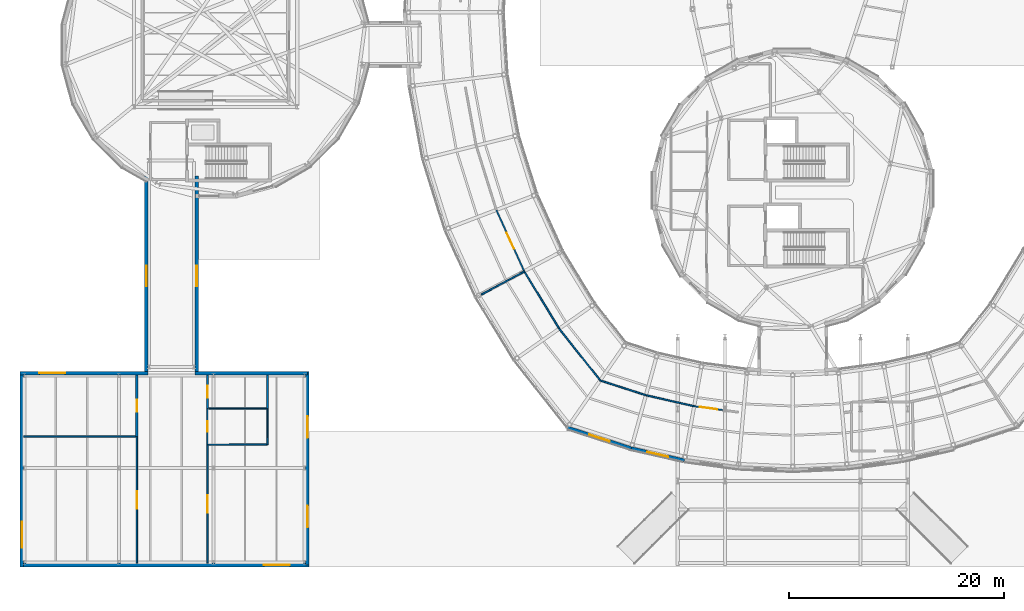
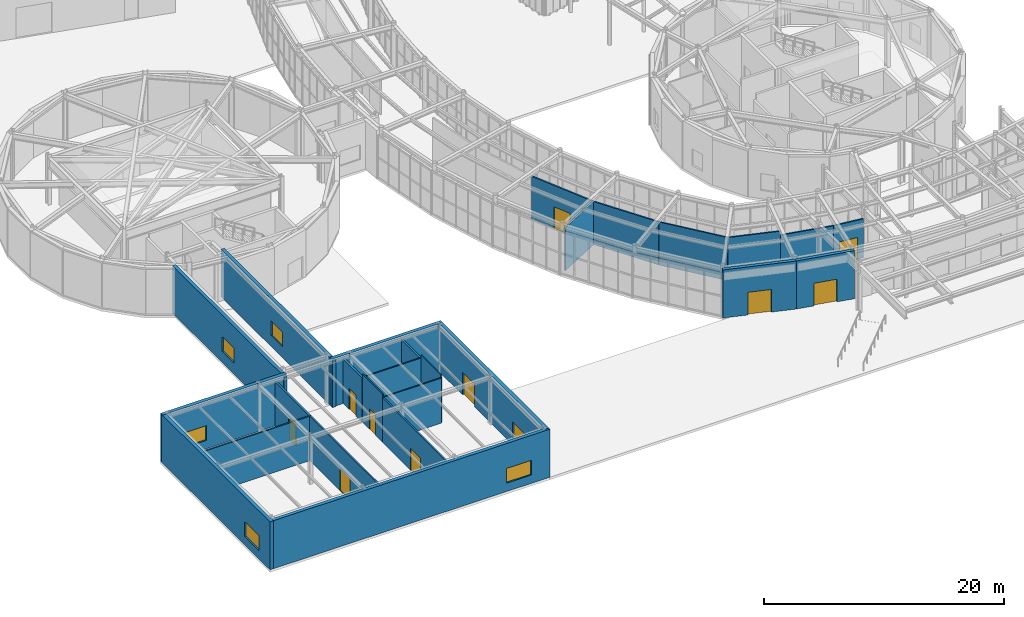
# One storey, part 69 of 97: 26 walls, 11 doors, 5 windows, 16 openings.
"""IFC4 building model written with IfcOpenShell, lengths in metres."""

from ifc_helpers import new_model, si_unit, direction, frame, frame_2d, origin, place, context, subcontext, project, spatial, rectangle, extrude, material, layer, layer_set, type_object, element, fill, save


model = new_model("IFC4")

# Units and contexts
model_context = context("Model", 3, precision=1e-05, world=origin(), true_north=direction((0.0, 1.0)))
body_context = subcontext(model_context, "Body", "Model", "MODEL_VIEW")
ifc_project = project(units=[si_unit("LENGTHUNIT", "METRE"), si_unit("AREAUNIT", "SQUARE_METRE"), si_unit("VOLUMEUNIT", "CUBIC_METRE"), si_unit("PLANEANGLEUNIT", "RADIAN"), si_unit("MASSUNIT", "GRAM", prefix="KILO")], contexts=[model_context])

# Site, building, storey
site_placement = place(None, origin())
site = spatial("IfcSite", under=ifc_project, at=site_placement, CompositionType="ELEMENT")
building_placement = place(site_placement, origin())
building = spatial("IfcBuilding", under=site, at=building_placement, Name="Varnklinge Art Gallery", CompositionType="ELEMENT")
storey_placement = place(building_placement, origin())
storey = spatial("IfcBuildingStorey", under=building, at=storey_placement, Name="L00", CompositionType="ELEMENT", Elevation=0.0)

# Wall, opening, door
ifc_material_1 = material(Name="Precast concrete C40/50", Category="concrete")
ifc_layer_1 = layer(ifc_material_1, 0.320068359375)
ifc_layer_set_1 = layer_set([ifc_layer_1], Name="Precast concrete C40/50")
wall_type_1 = type_object("IfcWallType", Name="EW-32", PredefinedType="SOLIDWALL", material=ifc_layer_set_1)
wall_1_placement = place(storey_placement, frame((60.477294921875, 14.42529296875, 0.0), z_axis=(0.0, 0.0, 1.0), x_axis=(-0.951297426521, 0.308274563165, 0.0)))
wall_1 = element("IfcWall", 1, at=wall_1_placement, inside=storey, type_object=wall_type_1, Name="L00 Grand Foyer Entrance Portal Wall 32", PredefinedType="SOLIDWALL", context=body_context, shape_type="SweptSolid", body=[
    extrude(rectangle(XDim=6.25244140625, YDim=0.320068359375, at=frame_2d((3.126220703125, 0.0))), origin(), (0.0, 0.0, 1.0), 4.8798828125),
])
opening_1_placement = place(wall_1_placement, frame((2.126220703125, 0.0, 0.0)))
opening_1 = element("IfcOpeningElement", 2, at=opening_1_placement, cuts=wall_1, Name="Opening D-L00-E07", PredefinedType="OPENING", context=body_context, shape_type="SweptSolid", body=[
    extrude(rectangle(XDim=2.0, YDim=2.300048828125, at=frame_2d((1.0, 1.14990234375))), frame((0.0, 0.170166015625, 0.0), z_axis=(0.0, -1.0, 0.0), x_axis=(1.0, 0.0, 0.0)), (0.0, 0.0, 1.0), 0.340087890625),
])
ifc_material_2 = material(Name="Anodised Aluminium", Category="aluminium")
door_type_1 = type_object("IfcDoorType", Name="ED-01", OperationType="DOUBLE_DOOR_SINGLE_SWING", PredefinedType="DOOR", material=ifc_material_2)
door_1_placement = place(opening_1_placement, origin())
door_1 = element("IfcDoor", 3, at=door_1_placement, inside=storey, type_object=door_type_1, Name="L00 Grand Foyer Main Entrance Door D-L00-E07", OperationType="DOUBLE_DOOR_SINGLE_SWING", OverallHeight=2.300048828125, OverallWidth=2.0, PredefinedType="DOOR", context=body_context, shape_type="SweptSolid", body=[
    extrude(rectangle(XDim=2.0, YDim=2.300048828125, at=frame_2d((1.0, 1.14990234375))), frame((0.0, 0.02490234375, 0.0), z_axis=(0.0, -1.0, 0.0), x_axis=(1.0, 0.0, 0.0)), (0.0, 0.0, 1.0), 0.050048828125),
])
fill(opening_1, door_1)

wall_2_placement = place(storey_placement, frame((65.41748046875, 13.300537109375, 0.0), z_axis=(0.0, 0.0, 1.0), x_axis=(-0.975048056311, 0.221993891546, 0.0)))
wall_2 = element("IfcWall", 4, at=wall_2_placement, inside=storey, type_object=wall_type_1, Name="L00 Grand Foyer Entrance Portal Wall 33", PredefinedType="SOLIDWALL", context=body_context, shape_type="SweptSolid", body=[
    extrude(rectangle(XDim=5.066650390625, YDim=0.320068359375, at=frame_2d((2.533203125, 0.0))), origin(), (0.0, 0.0, 1.0), 4.8798828125),
])
opening_2_placement = place(wall_2_placement, frame((1.533203125, 0.0, 0.0)))
opening_2 = element("IfcOpeningElement", 5, at=opening_2_placement, cuts=wall_2, Name="Opening D-L00-E08", PredefinedType="OPENING", context=body_context, shape_type="SweptSolid", body=[
    extrude(rectangle(XDim=2.0, YDim=2.300048828125, at=frame_2d((1.0, 1.14990234375))), frame((0.0, 0.170166015625, 0.0), z_axis=(0.0, -1.0, 0.0), x_axis=(1.0, 0.0, 0.0)), (0.0, 0.0, 1.0), 0.340087890625),
])
door_2_placement = place(opening_2_placement, origin())
door_2 = element("IfcDoor", 6, at=door_2_placement, inside=storey, type_object=door_type_1, Name="L00 Grand Foyer Main Entrance Door D-L00-E08", OperationType="DOUBLE_DOOR_SINGLE_SWING", OverallHeight=2.300048828125, OverallWidth=2.0, PredefinedType="DOOR", context=body_context, shape_type="SweptSolid", body=[
    extrude(rectangle(XDim=2.0, YDim=2.300048828125, at=frame_2d((1.0, 1.14990234375))), frame((0.0, 0.02490234375, 0.0), z_axis=(0.0, -1.0, 0.0), x_axis=(1.0, 0.0, 0.0)), (0.0, 0.0, 1.0), 0.050048828125),
])
fill(opening_2, door_2)

# Wall, opening, window
wall_3_placement = place(storey_placement, frame((15.360107421875, 21.179931640625, 0.0), z_axis=(0.0, 0.0, 1.0), x_axis=(0.0, 1.0, 0.0)))
wall_3 = element("IfcWall", 7, at=wall_3_placement, inside=storey, type_object=wall_type_1, Name="L00 Gallery Link Wall EW-LNK-SW-L00-W", PredefinedType="SOLIDWALL", context=body_context, shape_type="SweptSolid", body=[
    extrude(rectangle(XDim=18.565185546875, YDim=0.320068359375, at=frame_2d((9.28271484375, 0.0))), origin(), (0.0, 0.0, 1.0), 4.820068359375),
])
opening_3_placement = place(wall_3_placement, frame((8.3076171875, 0.0, 1.1201171875)))
opening_3 = element("IfcOpeningElement", 8, at=opening_3_placement, cuts=wall_3, Name="Opening WN-05", PredefinedType="OPENING", context=body_context, shape_type="SweptSolid", body=[
    extrude(rectangle(XDim=1.949951171875, YDim=1.5, at=frame_2d((0.97509765625, 0.75))), frame((0.0, 0.170166015625, 0.0), z_axis=(0.0, -1.0, 0.0), x_axis=(1.0, 0.0, 0.0)), (0.0, 0.0, 1.0), 0.340087890625),
])
ifc_material_3 = material(Name="Insulated Low-E Triple Glazing", Category="glass")
window_type_1 = type_object("IfcWindowType", Name="WN-05", PartitioningType="SINGLE_PANEL", PredefinedType="WINDOW", material=ifc_material_3)
window_1_placement = place(opening_3_placement, origin())
window_1 = element("IfcWindow", 9, at=window_1_placement, inside=storey, type_object=window_type_1, Name="L00 Window WIN-L00-237", OverallHeight=1.5, OverallWidth=1.949951171875, PartitioningType="SINGLE_PANEL", PredefinedType="WINDOW", context=body_context, shape_type="SweptSolid", body=[
    extrude(rectangle(XDim=1.949951171875, YDim=1.5, at=frame_2d((0.97509765625, 0.75))), frame((0.0, 0.030029296875, 0.0), z_axis=(0.0, -1.0, 0.0), x_axis=(1.0, 0.0, 0.0)), (0.0, 0.0, 1.0), 0.06005859375),
])
fill(opening_3, window_1)

wall_4_placement = place(storey_placement, frame((20.0400390625, 39.7451171875, 0.0), z_axis=(0.0, 0.0, 1.0), x_axis=(0.0, -1.0, 0.0)))
wall_4 = element("IfcWall", 10, at=wall_4_placement, inside=storey, type_object=wall_type_1, Name="L00 Gallery Link Wall EW-LNK-SW-L00-E", PredefinedType="SOLIDWALL", context=body_context, shape_type="SweptSolid", body=[
    extrude(rectangle(XDim=18.565185546875, YDim=0.320068359375, at=frame_2d((9.28271484375, 0.0))), origin(), (0.0, 0.0, 1.0), 4.820068359375),
])
opening_4_placement = place(wall_4_placement, frame((8.3076171875, 0.0, 1.1201171875)))
opening_4 = element("IfcOpeningElement", 11, at=opening_4_placement, cuts=wall_4, Name="Opening WN-05", PredefinedType="OPENING", context=body_context, shape_type="SweptSolid", body=[
    extrude(rectangle(XDim=1.949951171875, YDim=1.5, at=frame_2d((0.97509765625, 0.75))), frame((0.0, 0.170166015625, 0.0), z_axis=(0.0, -1.0, 0.0), x_axis=(1.0, 0.0, 0.0)), (0.0, 0.0, 1.0), 0.340087890625),
])
window_2_placement = place(opening_4_placement, origin())
window_2 = element("IfcWindow", 12, at=window_2_placement, inside=storey, type_object=window_type_1, Name="L00 Window WIN-L00-238", OverallHeight=1.5, OverallWidth=1.949951171875, PartitioningType="SINGLE_PANEL", PredefinedType="WINDOW", context=body_context, shape_type="SweptSolid", body=[
    extrude(rectangle(XDim=1.949951171875, YDim=1.5, at=frame_2d((0.97509765625, 0.75))), frame((0.0, 0.030029296875, 0.0), z_axis=(0.0, -1.0, 0.0), x_axis=(1.0, 0.0, 0.0)), (0.0, 0.0, 1.0), 0.06005859375),
])
fill(opening_4, window_2)

ifc_material_4 = material(Name="Precast concrete C40/50", Category="concrete")
ifc_layer_2 = layer(ifc_material_4, 0.340087890625)
ifc_layer_set_2 = layer_set([ifc_layer_2], Name="Precast concrete C40/50")
wall_type_2 = type_object("IfcWallType", Name="EW-34", PredefinedType="SOLIDWALL", material=ifc_layer_set_2)
wall_5_placement = place(storey_placement, frame((3.77001953125, 3.39990234375, 0.0), z_axis=(0.0, 0.0, 1.0), x_axis=(0.0, 1.0, 0.0)))
wall_5 = element("IfcWall", 13, at=wall_5_placement, inside=storey, type_object=wall_type_2, Name="L00 Exterior Wall EW-V6SW-L00-01", PredefinedType="SOLIDWALL", context=body_context, shape_type="SweptSolid", body=[
    extrude(rectangle(XDim=18.030029296875, YDim=0.340087890625, at=frame_2d((9.01513671875, 0.0))), origin(), (0.0, 0.0, 1.0), 4.8798828125),
])
opening_5_placement = place(wall_5_placement, frame((1.800048828125, 0.0, 0.85009765625)))
opening_5 = element("IfcOpeningElement", 14, at=opening_5_placement, cuts=wall_5, Name="Opening WN-07", PredefinedType="OPENING", context=body_context, shape_type="SweptSolid", body=[
    extrude(rectangle(XDim=2.39990234375, YDim=1.5, at=frame_2d((1.199951171875, 0.75))), frame((0.0, 0.179931640625, 0.0), z_axis=(0.0, -1.0, 0.0), x_axis=(1.0, 0.0, 0.0)), (0.0, 0.0, 1.0), 0.360107421875),
])
ifc_material_5 = material(Name="Insulated Low-E Triple Glazing", Category="glass")
window_type_2 = type_object("IfcWindowType", Name="WN-07", PartitioningType="SINGLE_PANEL", PredefinedType="WINDOW", material=ifc_material_5)
window_3_placement = place(opening_5_placement, origin())
window_3 = element("IfcWindow", 15, at=window_3_placement, inside=storey, type_object=window_type_2, Name="L00 Window WIN-L00-203", OverallHeight=1.5, OverallWidth=2.39990234375, PartitioningType="SINGLE_PANEL", PredefinedType="WINDOW", context=body_context, shape_type="SweptSolid", body=[
    extrude(rectangle(XDim=2.39990234375, YDim=1.5, at=frame_2d((1.199951171875, 0.75))), frame((0.0, 0.030029296875, 0.0), z_axis=(0.0, -1.0, 0.0), x_axis=(1.0, 0.0, 0.0)), (0.0, 0.0, 1.0), 0.06005859375),
])
fill(opening_5, window_3)

wall_6_placement = place(storey_placement, frame((3.60009765625, 21.429931640625, 0.0), z_axis=(0.0, 0.0, 1.0), x_axis=(1.0, 0.0, 0.0)))
wall_6 = element("IfcWall", 16, at=wall_6_placement, inside=storey, type_object=wall_type_2, Name="L00 Exterior Wall EW-V6SW-L00-02", PredefinedType="SOLIDWALL", context=body_context, shape_type="SweptSolid", body=[
    extrude(rectangle(XDim=11.919921875, YDim=0.340087890625, at=frame_2d((5.9599609375, 0.0))), origin(), (0.0, 0.0, 1.0), 4.8798828125),
])
opening_6_placement = place(wall_6_placement, frame((1.800048828125, 0.0, 0.85009765625)))
opening_6 = element("IfcOpeningElement", 17, at=opening_6_placement, cuts=wall_6, Name="Opening WN-07", PredefinedType="OPENING", context=body_context, shape_type="SweptSolid", body=[
    extrude(rectangle(XDim=2.39990234375, YDim=1.5, at=frame_2d((1.199951171875, 0.75))), frame((0.0, 0.179931640625, 0.0), z_axis=(0.0, -1.0, 0.0), x_axis=(1.0, 0.0, 0.0)), (0.0, 0.0, 1.0), 0.360107421875),
])
window_4_placement = place(opening_6_placement, origin())
window_4 = element("IfcWindow", 18, at=window_4_placement, inside=storey, type_object=window_type_2, Name="L00 Window WIN-L00-204", OverallHeight=1.5, OverallWidth=2.39990234375, PartitioningType="SINGLE_PANEL", PredefinedType="WINDOW", context=body_context, shape_type="SweptSolid", body=[
    extrude(rectangle(XDim=2.39990234375, YDim=1.5, at=frame_2d((1.199951171875, 0.75))), frame((0.0, 0.030029296875, 0.0), z_axis=(0.0, -1.0, 0.0), x_axis=(1.0, 0.0, 0.0)), (0.0, 0.0, 1.0), 0.06005859375),
])
fill(opening_6, window_4)

# Wall
wall_7_placement = place(storey_placement, frame((19.8798828125, 21.429931640625, 0.0), z_axis=(0.0, 0.0, 1.0), x_axis=(1.0, 0.0, 0.0)))
element("IfcWall", 19, at=wall_7_placement, inside=storey, type_object=wall_type_2, Name="L00 Exterior Wall EW-V6SW-L00-03", PredefinedType="SOLIDWALL", context=body_context, shape_type="SweptSolid", body=[
    extrude(rectangle(XDim=10.4501953125, YDim=0.340087890625, at=frame_2d((5.22509765625, 0.0))), origin(), (0.0, 0.0, 1.0), 4.8798828125),
])

# Wall, openings, doors
wall_8_placement = place(storey_placement, frame((30.330078125, 21.60009765625, 0.0), z_axis=(0.0, 0.0, 1.0), x_axis=(0.0, -1.0, 0.0)))
wall_8 = element("IfcWall", 20, at=wall_8_placement, inside=storey, type_object=wall_type_2, Name="L00 Exterior Wall EW-V6SW-L00-04", PredefinedType="SOLIDWALL", context=body_context, shape_type="SweptSolid", body=[
    extrude(rectangle(XDim=18.030029296875, YDim=0.340087890625, at=frame_2d((9.01513671875, 0.0))), origin(), (0.0, 0.0, 1.0), 4.8798828125),
])
opening_7_placement = place(wall_8_placement, frame((4.199951171875, 0.0, 0.0)))
opening_7 = element("IfcOpeningElement", 21, at=opening_7_placement, cuts=wall_8, Name="Opening D-L00-E25", PredefinedType="OPENING", context=body_context, shape_type="SweptSolid", body=[
    extrude(rectangle(XDim=2.0, YDim=2.300048828125, at=frame_2d((1.0, 1.14990234375))), frame((0.0, 0.179931640625, 0.0), z_axis=(0.0, -1.0, 0.0), x_axis=(1.0, 0.0, 0.0)), (0.0, 0.0, 1.0), 0.360107421875),
])
opening_8_placement = place(wall_8_placement, frame((12.530029296875, 0.0, 0.0)))
opening_8 = element("IfcOpeningElement", 22, at=opening_8_placement, cuts=wall_8, Name="Opening D-L00-E26", PredefinedType="OPENING", context=body_context, shape_type="SweptSolid", body=[
    extrude(rectangle(XDim=2.0, YDim=2.300048828125, at=frame_2d((1.0, 1.14990234375))), frame((0.0, 0.179931640625, 0.0), z_axis=(0.0, -1.0, 0.0), x_axis=(1.0, 0.0, 0.0)), (0.0, 0.0, 1.0), 0.360107421875),
])
door_3_placement = place(opening_7_placement, origin())
door_3 = element("IfcDoor", 23, at=door_3_placement, inside=storey, type_object=door_type_1, Name="L00 Museum Bookshop North Final Exit Door D-L00-E25", OperationType="DOUBLE_DOOR_SINGLE_SWING", OverallHeight=2.300048828125, OverallWidth=2.0, PredefinedType="DOOR", context=body_context, shape_type="SweptSolid", body=[
    extrude(rectangle(XDim=2.0, YDim=2.300048828125, at=frame_2d((1.0, 1.14990234375))), frame((0.0, 0.02490234375, 0.0), z_axis=(0.0, -1.0, 0.0), x_axis=(1.0, 0.0, 0.0)), (0.0, 0.0, 1.0), 0.050048828125),
])
fill(opening_7, door_3)
door_4_placement = place(opening_8_placement, origin())
door_4 = element("IfcDoor", 24, at=door_4_placement, inside=storey, type_object=door_type_1, Name="L00 Museum Bookshop South Final Exit Door D-L00-E26", OperationType="DOUBLE_DOOR_SINGLE_SWING", OverallHeight=2.300048828125, OverallWidth=2.0, PredefinedType="DOOR", context=body_context, shape_type="SweptSolid", body=[
    extrude(rectangle(XDim=2.0, YDim=2.300048828125, at=frame_2d((1.0, 1.14990234375))), frame((0.0, 0.02490234375, 0.0), z_axis=(0.0, -1.0, 0.0), x_axis=(1.0, 0.0, 0.0)), (0.0, 0.0, 1.0), 0.050048828125),
])
fill(opening_8, door_4)

# Wall, opening, window
wall_9_placement = place(storey_placement, frame((30.5, 3.570068359375, 0.0), z_axis=(0.0, 0.0, 1.0), x_axis=(-1.0, 0.0, 0.0)))
wall_9 = element("IfcWall", 25, at=wall_9_placement, inside=storey, type_object=wall_type_2, Name="L00 Exterior Wall EW-V6SW-L00-05", PredefinedType="SOLIDWALL", context=body_context, shape_type="SweptSolid", body=[
    extrude(rectangle(XDim=26.72998046875, YDim=0.340087890625, at=frame_2d((13.364990234375, 0.0))), origin(), (0.0, 0.0, 1.0), 4.8798828125),
])
opening_9_placement = place(wall_9_placement, frame((1.800048828125, 0.0, 0.85009765625)))
opening_9 = element("IfcOpeningElement", 26, at=opening_9_placement, cuts=wall_9, Name="Opening WN-07", PredefinedType="OPENING", context=body_context, shape_type="SweptSolid", body=[
    extrude(rectangle(XDim=2.39990234375, YDim=1.5, at=frame_2d((1.199951171875, 0.75))), frame((0.0, 0.179931640625, 0.0), z_axis=(0.0, -1.0, 0.0), x_axis=(1.0, 0.0, 0.0)), (0.0, 0.0, 1.0), 0.360107421875),
])
window_5_placement = place(opening_9_placement, origin())
window_5 = element("IfcWindow", 27, at=window_5_placement, inside=storey, type_object=window_type_2, Name="L00 Window WIN-L00-205", OverallHeight=1.5, OverallWidth=2.39990234375, PartitioningType="SINGLE_PANEL", PredefinedType="WINDOW", context=body_context, shape_type="SweptSolid", body=[
    extrude(rectangle(XDim=2.39990234375, YDim=1.5, at=frame_2d((1.199951171875, 0.75))), frame((0.0, 0.030029296875, 0.0), z_axis=(0.0, -1.0, 0.0), x_axis=(1.0, 0.0, 0.0)), (0.0, 0.0, 1.0), 0.06005859375),
])
fill(opening_9, window_5)

# Wall, opening, door
ifc_material_6 = material(Name="Gypsum Board Partition", Category="gypsum")
ifc_layer_3 = layer(ifc_material_6, 0.1201171875)
ifc_layer_set_3 = layer_set([ifc_layer_3], Name="Gypsum Board Partition")
wall_type_3 = type_object("IfcWallType", Name="IW-12", PredefinedType="PARTITIONING", material=ifc_layer_set_3)
wall_10_placement = place(storey_placement, frame((21.030029296875, 18.1298828125, 0.0), z_axis=(0.0, 0.0, 1.0), x_axis=(0.0, -1.0, 0.0)))
wall_10 = element("IfcWall", 28, at=wall_10_placement, inside=storey, type_object=wall_type_3, Name="L00 Partition Wall IW-L00-0125", PredefinedType="PARTITIONING", context=body_context, shape_type="SweptSolid", body=[
    extrude(rectangle(XDim=3.35986328125, YDim=0.1201171875, at=frame_2d((1.679931640625, 0.0))), origin(), (0.0, 0.0, 1.0), 4.8701171875),
])
opening_10_placement = place(wall_10_placement, frame((1.199951171875, 0.0, 0.0)))
opening_10 = element("IfcOpeningElement", 29, at=opening_10_placement, cuts=wall_10, Name="Opening D-L00-175", PredefinedType="OPENING", context=body_context, shape_type="SweptSolid", body=[
    extrude(rectangle(XDim=0.9599609375, YDim=2.10009765625, at=frame_2d((0.47998046875, 1.050048828125))), frame((0.0, 0.070068359375, 0.0), z_axis=(0.0, -1.0, 0.0), x_axis=(1.0, 0.0, 0.0)), (0.0, 0.0, 1.0), 0.14013671875),
])
ifc_material_7 = material(Name="Oak Timber Leaf", Category="wood")
door_type_2 = type_object("IfcDoorType", Name="ID-02", OperationType="SINGLE_SWING_RIGHT", PredefinedType="DOOR", material=ifc_material_7)
door_5_placement = place(opening_10_placement, origin())
door_5 = element("IfcDoor", 30, at=door_5_placement, inside=storey, type_object=door_type_2, Name="L00 L00 Accessible WC Forecourt Door D-L00-175", OperationType="SINGLE_SWING_LEFT", OverallHeight=2.10009765625, OverallWidth=0.9599609375, PredefinedType="DOOR", context=body_context, shape_type="SweptSolid", body=[
    extrude(rectangle(XDim=0.9599609375, YDim=2.10009765625, at=frame_2d((0.47998046875, 1.050048828125))), frame((0.0, 0.02490234375, 0.0), z_axis=(0.0, -1.0, 0.0), x_axis=(1.0, 0.0, 0.0)), (0.0, 0.0, 1.0), 0.050048828125),
])
fill(opening_10, door_5)

# Walls
wall_11_placement = place(storey_placement, frame((21.14501953125, 18.1298828125, 0.0), z_axis=(0.0, 0.0, 1.0), x_axis=(1.0, 0.0, 0.0)))
element("IfcWall", 31, at=wall_11_placement, inside=storey, type_object=wall_type_3, Name="L00 Partition Wall IW-L00-0155", PredefinedType="PARTITIONING", context=body_context, shape_type="SweptSolid", body=[
    extrude(rectangle(XDim=5.455078125, YDim=0.1201171875, at=frame_2d((2.7275390625, 0.0))), origin(), (0.0, 0.0, 1.0), 4.570068359375),
])
wall_12_placement = place(storey_placement, frame((26.6298828125, 18.10009765625, 0.0), z_axis=(0.0, 0.0, 1.0), x_axis=(-0.003965017661, -0.999992139287, 0.0)))
element("IfcWall", 32, at=wall_12_placement, inside=storey, type_object=wall_type_3, Name="L00 Partition Wall IW-L00-0156", PredefinedType="PARTITIONING", context=body_context, shape_type="SweptSolid", body=[
    extrude(rectangle(XDim=3.324951171875, YDim=0.1201171875, at=frame_2d((1.66259765625, 0.0))), origin(), (0.0, 0.0, 1.0), 4.8701171875),
])
wall_13_placement = place(storey_placement, frame((26.61669921875, 14.775146484375, 0.0), z_axis=(0.0, 0.0, 1.0), x_axis=(-0.999999567372, -0.000930190951, 0.0)))
element("IfcWall", 33, at=wall_13_placement, inside=storey, type_object=wall_type_3, Name="L00 Partition Wall IW-L00-0157", PredefinedType="PARTITIONING", context=body_context, shape_type="SweptSolid", body=[
    extrude(rectangle(XDim=5.51171875, YDim=0.1201171875, at=frame_2d((2.755859375, 0.0))), origin(), (0.0, 0.0, 1.0), 4.570068359375),
])

# Wall, opening, door
ifc_material_8 = material(Name="Gypsum Board Partition", Category="gypsum")
ifc_layer_4 = layer(ifc_material_8, 0.139892578125)
ifc_layer_set_4 = layer_set([ifc_layer_4], Name="Gypsum Board Partition")
wall_type_4 = type_object("IfcWallType", Name="IW-14", PredefinedType="PARTITIONING", material=ifc_layer_set_4)
wall_14_placement = place(storey_placement, frame((50.52490234375, 30.88134765625, 0.0), z_axis=(0.0, 0.0, 1.0), x_axis=(-0.413902273879, 0.910321321116, 0.0)))
wall_14 = element("IfcWall", 34, at=wall_14_placement, inside=storey, type_object=wall_type_4, Name="L00 Partition Wall IW-L00-0079", PredefinedType="PARTITIONING", context=body_context, shape_type="SweptSolid", body=[
    extrude(rectangle(XDim=6.296142578125, YDim=0.139892578125, at=frame_2d((3.14794921875, 0.0))), origin(), (0.0, 0.0, 1.0), 4.3701171875),
])
opening_11_placement = place(wall_14_placement, frame((2.327880859375, 0.0, 0.0)))
opening_11 = element("IfcOpeningElement", 35, at=opening_11_placement, cuts=wall_14, Name="Opening D-L00-149", PredefinedType="OPENING", context=body_context, shape_type="SweptSolid", body=[
    extrude(rectangle(XDim=1.639892578125, YDim=2.199951171875, at=frame_2d((0.81982421875, 1.10009765625))), frame((0.0, 0.079833984375, 0.0), z_axis=(0.0, -1.0, 0.0), x_axis=(1.0, 0.0, 0.0)), (0.0, 0.0, 1.0), 0.159912109375),
])
ifc_material_9 = material(Name="Oak Timber Leaf", Category="wood")
door_type_3 = type_object("IfcDoorType", Name="ID-08", OperationType="DOUBLE_DOOR_SINGLE_SWING", PredefinedType="DOOR", material=ifc_material_9)
door_6_placement = place(opening_11_placement, origin())
door_6 = element("IfcDoor", 36, at=door_6_placement, inside=storey, type_object=door_type_3, Name="L00 L00 Southwest Museum Shop and Cloakroom Door D-L00-149", OperationType="DOUBLE_DOOR_SINGLE_SWING", OverallHeight=2.199951171875, OverallWidth=1.639892578125, PredefinedType="DOOR", context=body_context, shape_type="SweptSolid", body=[
    extrude(rectangle(XDim=1.639892578125, YDim=2.199951171875, at=frame_2d((0.81982421875, 1.10009765625))), frame((0.0, 0.02490234375, 0.0), z_axis=(0.0, -1.0, 0.0), x_axis=(1.0, 0.0, 0.0)), (0.0, 0.0, 1.0), 0.050048828125),
])
fill(opening_11, door_6)

wall_15_placement = place(storey_placement, frame((68.988525390625, 17.986572265625, 0.0), z_axis=(0.0, 0.0, 1.0), x_axis=(-0.990991125006, 0.133927555638, 0.0)))
wall_15 = element("IfcWall", 37, at=wall_15_placement, inside=storey, type_object=wall_type_4, Name="L00 Partition Wall IW-L00-0083", PredefinedType="PARTITIONING", context=body_context, shape_type="SweptSolid", body=[
    extrude(rectangle(XDim=2.683349609375, YDim=0.139892578125, at=frame_2d((1.341796875, 0.0))), origin(), (0.0, 0.0, 1.0), 3.9599609375),
])
opening_12_placement = place(wall_15_placement, frame((0.521484375, 0.0, 0.0)))
opening_12 = element("IfcOpeningElement", 38, at=opening_12_placement, cuts=wall_15, Name="Opening D-L00-151", PredefinedType="OPENING", context=body_context, shape_type="SweptSolid", body=[
    extrude(rectangle(XDim=1.639892578125, YDim=2.199951171875, at=frame_2d((0.81982421875, 1.10009765625))), frame((0.0, 0.079833984375, 0.0), z_axis=(0.0, -1.0, 0.0), x_axis=(1.0, 0.0, 0.0)), (0.0, 0.0, 1.0), 0.159912109375),
])
door_7_placement = place(opening_12_placement, origin())
door_7 = element("IfcDoor", 39, at=door_7_placement, inside=storey, type_object=door_type_3, Name="L00 L00 South Grand Ticketing Gallery Door D-L00-151", OperationType="DOUBLE_DOOR_SINGLE_SWING", OverallHeight=2.199951171875, OverallWidth=1.639892578125, PredefinedType="DOOR", context=body_context, shape_type="SweptSolid", body=[
    extrude(rectangle(XDim=1.639892578125, YDim=2.199951171875, at=frame_2d((0.81982421875, 1.10009765625))), frame((0.0, 0.02490234375, 0.0), z_axis=(0.0, -1.0, 0.0), x_axis=(1.0, 0.0, 0.0)), (0.0, 0.0, 1.0), 0.050048828125),
])
fill(opening_12, door_7)

# Walls
wall_16_placement = place(storey_placement, frame((66.329345703125, 18.345947265625, 0.0), z_axis=(0.0, 0.0, 1.0), x_axis=(-0.975049979992, 0.221985442131, 0.0)))
element("IfcWall", 40, at=wall_16_placement, inside=storey, type_object=wall_type_4, Name="L00 Partition Wall IW-L00-0084", PredefinedType="PARTITIONING", context=body_context, shape_type="SweptSolid", body=[
    extrude(rectangle(XDim=4.60498046875, YDim=0.139892578125, at=frame_2d((2.302490234375, 0.0))), origin(), (0.0, 0.0, 1.0), 3.9599609375),
])
wall_17_placement = place(storey_placement, frame((61.83935546875, 19.3681640625, 0.0), z_axis=(0.0, 0.0, 1.0), x_axis=(-0.95121156526, 0.308539394755, 0.0)))
element("IfcWall", 41, at=wall_17_placement, inside=storey, type_object=wall_type_4, Name="L00 Partition Wall IW-L00-0085", PredefinedType="PARTITIONING", context=body_context, shape_type="SweptSolid", body=[
    extrude(rectangle(XDim=4.473876953125, YDim=0.139892578125, at=frame_2d((2.23681640625, 0.0))), origin(), (0.0, 0.0, 1.0), 4.3701171875),
])
wall_18_placement = place(storey_placement, frame((57.583740234375, 20.74853515625, 0.0), z_axis=(0.0, 0.0, 1.0), x_axis=(-0.620919863194, 0.783874048232, 0.0)))
element("IfcWall", 42, at=wall_18_placement, inside=storey, type_object=wall_type_4, Name="L00 Partition Wall IW-L00-0086", PredefinedType="PARTITIONING", context=body_context, shape_type="SweptSolid", body=[
    extrude(rectangle(XDim=6.1396484375, YDim=0.139892578125, at=frame_2d((3.06982421875, 0.0))), origin(), (0.0, 0.0, 1.0), 4.3701171875),
])
wall_19_placement = place(storey_placement, frame((53.771484375, 25.561279296875, 0.0), z_axis=(0.0, 0.0, 1.0), x_axis=(-0.520915928932, 0.853607986716, 0.0)))
element("IfcWall", 43, at=wall_19_placement, inside=storey, type_object=wall_type_4, Name="L00 Partition Wall IW-L00-0087", PredefinedType="PARTITIONING", context=body_context, shape_type="SweptSolid", body=[
    extrude(rectangle(XDim=6.232421875, YDim=0.139892578125, at=frame_2d((3.1162109375, 0.0))), origin(), (0.0, 0.0, 1.0), 4.3701171875),
])

# Wall, opening, door
wall_20_placement = place(storey_placement, frame((14.469970703125, 3.743896484375, 0.0), z_axis=(0.0, 0.0, 1.0), x_axis=(0.0, 1.0, 0.0)))
wall_20 = element("IfcWall", 44, at=wall_20_placement, inside=storey, type_object=wall_type_4, Name="L00 Partition Wall IW-L00-0123", PredefinedType="PARTITIONING", context=body_context, shape_type="SweptSolid", body=[
    extrude(rectangle(XDim=11.7861328125, YDim=0.139892578125, at=frame_2d((5.89306640625, 0.0))), origin(), (0.0, 0.0, 1.0), 4.510009765625),
])
opening_13_placement = place(wall_20_placement, frame((5.072998046875, 0.0, 0.0)))
opening_13 = element("IfcOpeningElement", 45, at=opening_13_placement, cuts=wall_20, Name="Opening D-L00-173", PredefinedType="OPENING", context=body_context, shape_type="SweptSolid", body=[
    extrude(rectangle(XDim=1.639892578125, YDim=2.199951171875, at=frame_2d((0.81982421875, 1.10009765625))), frame((0.0, 0.079833984375, 0.0), z_axis=(0.0, -1.0, 0.0), x_axis=(1.0, 0.0, 0.0)), (0.0, 0.0, 1.0), 0.159912109375),
])
door_8_placement = place(opening_13_placement, origin())
door_8 = element("IfcDoor", 46, at=door_8_placement, inside=storey, type_object=door_type_3, Name="L00 L00 Museum Cafe Door D-L00-173", OperationType="DOUBLE_DOOR_SINGLE_SWING", OverallHeight=2.199951171875, OverallWidth=1.639892578125, PredefinedType="DOOR", context=body_context, shape_type="SweptSolid", body=[
    extrude(rectangle(XDim=1.639892578125, YDim=2.199951171875, at=frame_2d((0.81982421875, 1.10009765625))), frame((0.0, 0.02490234375, 0.0), z_axis=(0.0, -1.0, 0.0), x_axis=(1.0, 0.0, 0.0)), (0.0, 0.0, 1.0), 0.050048828125),
])
fill(opening_13, door_8)

wall_21_placement = place(storey_placement, frame((21.030029296875, 14.77001953125, 0.0), z_axis=(0.0, 0.0, 1.0), x_axis=(0.0, -1.0, 0.0)))
wall_21 = element("IfcWall", 47, at=wall_21_placement, inside=storey, type_object=wall_type_4, Name="L00 Partition Wall IW-L00-0127", PredefinedType="PARTITIONING", context=body_context, shape_type="SweptSolid", body=[
    extrude(rectangle(XDim=11.026123046875, YDim=0.139892578125, at=frame_2d((5.51318359375, 0.0))), origin(), (0.0, 0.0, 1.0), 4.510009765625),
])
opening_14_placement = place(wall_21_placement, frame((4.693115234375, 0.0, 0.0)))
opening_14 = element("IfcOpeningElement", 48, at=opening_14_placement, cuts=wall_21, Name="Opening D-L00-177", PredefinedType="OPENING", context=body_context, shape_type="SweptSolid", body=[
    extrude(rectangle(XDim=1.639892578125, YDim=2.199951171875, at=frame_2d((0.81982421875, 1.10009765625))), frame((0.0, 0.079833984375, 0.0), z_axis=(0.0, -1.0, 0.0), x_axis=(1.0, 0.0, 0.0)), (0.0, 0.0, 1.0), 0.159912109375),
])
door_9_placement = place(opening_14_placement, origin())
door_9 = element("IfcDoor", 49, at=door_9_placement, inside=storey, type_object=door_type_3, Name="L00 L00 Museum Bookshop Door D-L00-177", OperationType="DOUBLE_DOOR_SINGLE_SWING", OverallHeight=2.199951171875, OverallWidth=1.639892578125, PredefinedType="DOOR", context=body_context, shape_type="SweptSolid", body=[
    extrude(rectangle(XDim=1.639892578125, YDim=2.199951171875, at=frame_2d((0.81982421875, 1.10009765625))), frame((0.0, 0.02490234375, 0.0), z_axis=(0.0, -1.0, 0.0), x_axis=(1.0, 0.0, 0.0)), (0.0, 0.0, 1.0), 0.050048828125),
])
fill(opening_14, door_9)

# Walls
wall_22_placement = place(storey_placement, frame((50.5244140625, 30.881103515625, 0.0), z_axis=(0.0, 0.0, 1.0), x_axis=(-0.880691517808, -0.473690247379, 0.0)))
element("IfcWall", 50, at=wall_22_placement, inside=storey, type_object=wall_type_4, Name="L00 Partition Wall IW-L00-0142", PredefinedType="PARTITIONING", context=body_context, shape_type="SweptSolid", body=[
    extrude(rectangle(XDim=4.550537109375, YDim=0.139892578125, at=frame_2d((2.275390625, 0.0))), origin(), (0.0, 0.0, 1.0), 4.3701171875),
])
wall_23_placement = place(storey_placement, frame((3.944091796875, 15.530029296875, 0.0), z_axis=(0.0, 0.0, 1.0), x_axis=(1.0, 0.0, 0.0)))
element("IfcWall", 51, at=wall_23_placement, inside=storey, type_object=wall_type_4, Name="L00 Partition Wall IW-L00-0154", PredefinedType="PARTITIONING", context=body_context, shape_type="SweptSolid", body=[
    extrude(rectangle(XDim=10.410888671875, YDim=0.139892578125, at=frame_2d((5.20556640625, 0.0))), origin(), (0.0, 0.0, 1.0), 4.510009765625),
])

# Wall, opening, door
ifc_material_10 = material(Name="Concrete C40/50", Category="concrete")
ifc_layer_5 = layer(ifc_material_10, 0.199951171875)
ifc_layer_set_5 = layer_set([ifc_layer_5], Name="Concrete C40/50")
wall_type_5 = type_object("IfcWallType", Name="IW-20", PredefinedType="PARTITIONING", material=ifc_layer_set_5)
wall_24_placement = place(storey_placement, frame((14.469970703125, 15.530029296875, 0.0), z_axis=(0.0, 0.0, 1.0), x_axis=(0.0, 1.0, 0.0)))
wall_24 = element("IfcWall", 52, at=wall_24_placement, inside=storey, type_object=wall_type_5, Name="L00 Partition Wall IW-L00-0124", PredefinedType="PARTITIONING", context=body_context, shape_type="SweptSolid", body=[
    extrude(rectangle(XDim=5.72607421875, YDim=0.199951171875, at=frame_2d((2.863037109375, 0.0))), origin(), (0.0, 0.0, 1.0), 4.510009765625),
])
opening_15_placement = place(wall_24_placement, frame((2.2880859375, 0.0, 0.0)))
opening_15 = element("IfcOpeningElement", 53, at=opening_15_placement, cuts=wall_24, Name="Opening D-L00-174", PredefinedType="OPENING", context=body_context, shape_type="SweptSolid", body=[
    extrude(rectangle(XDim=1.14990234375, YDim=2.14990234375, at=frame_2d((0.574951171875, 1.074951171875))), frame((0.0, 0.110107421875, 0.0), z_axis=(0.0, -1.0, 0.0), x_axis=(1.0, 0.0, 0.0)), (0.0, 0.0, 1.0), 0.219970703125),
])
ifc_material_11 = material(Name="Galvanised Fire-Rated Steel", Category="steel")
door_type_4 = type_object("IfcDoorType", Name="ID-05", OperationType="SINGLE_SWING_LEFT", PredefinedType="DOOR", material=ifc_material_11)
door_10_placement = place(opening_15_placement, origin())
door_10 = element("IfcDoor", 54, at=door_10_placement, inside=storey, type_object=door_type_4, Name="L00 L00 Cafe Preparation Kitchen Door D-L00-174", OperationType="SINGLE_SWING_RIGHT", OverallHeight=2.14990234375, OverallWidth=1.14990234375, PredefinedType="DOOR", context=body_context, shape_type="SweptSolid", body=[
    extrude(rectangle(XDim=1.14990234375, YDim=2.14990234375, at=frame_2d((0.574951171875, 1.074951171875))), frame((0.0, 0.02490234375, 0.0), z_axis=(0.0, -1.0, 0.0), x_axis=(1.0, 0.0, 0.0)), (0.0, 0.0, 1.0), 0.050048828125),
])
fill(opening_15, door_10)

wall_25_placement = place(storey_placement, frame((21.030029296875, 21.256103515625, 0.0), z_axis=(0.0, 0.0, 1.0), x_axis=(0.0, -1.0, 0.0)))
wall_25 = element("IfcWall", 55, at=wall_25_placement, inside=storey, type_object=wall_type_5, Name="L00 Partition Wall IW-L00-0126", PredefinedType="PARTITIONING", context=body_context, shape_type="SweptSolid", body=[
    extrude(rectangle(XDim=3.126220703125, YDim=0.199951171875, at=frame_2d((1.56298828125, 0.0))), origin(), (0.0, 0.0, 1.0), 4.510009765625),
])
opening_16_placement = place(wall_25_placement, frame((0.988037109375, 0.0, 0.0)))
opening_16 = element("IfcOpeningElement", 56, at=opening_16_placement, cuts=wall_25, Name="Opening D-L00-176", PredefinedType="OPENING", context=body_context, shape_type="SweptSolid", body=[
    extrude(rectangle(XDim=1.14990234375, YDim=2.14990234375, at=frame_2d((0.574951171875, 1.074951171875))), frame((0.0, 0.110107421875, 0.0), z_axis=(0.0, -1.0, 0.0), x_axis=(1.0, 0.0, 0.0)), (0.0, 0.0, 1.0), 0.219970703125),
])
door_11_placement = place(opening_16_placement, origin())
door_11 = element("IfcDoor", 57, at=door_11_placement, inside=storey, type_object=door_type_4, Name="L00 L00 Visitor Cloakroom Door D-L00-176", OperationType="SINGLE_SWING_RIGHT", OverallHeight=2.14990234375, OverallWidth=1.14990234375, PredefinedType="DOOR", context=body_context, shape_type="SweptSolid", body=[
    extrude(rectangle(XDim=1.14990234375, YDim=2.14990234375, at=frame_2d((0.574951171875, 1.074951171875))), frame((0.0, 0.02490234375, 0.0), z_axis=(0.0, -1.0, 0.0), x_axis=(1.0, 0.0, 0.0)), (0.0, 0.0, 1.0), 0.050048828125),
])
fill(opening_16, door_11)

# Wall
wall_26_placement = place(storey_placement, frame((26.6298828125, 21.256103515625, 0.0), z_axis=(0.0, 0.0, 1.0), x_axis=(0.0, -1.0, 0.0)))
element("IfcWall", 58, at=wall_26_placement, inside=storey, type_object=wall_type_5, Name="L00 Partition Wall IW-L00-0158", PredefinedType="PARTITIONING", context=body_context, shape_type="SweptSolid", body=[
    extrude(rectangle(XDim=3.156005859375, YDim=0.199951171875, at=frame_2d((1.578125, 0.0))), origin(), (0.0, 0.0, 1.0), 4.510009765625),
])

save(model, "model.ifc")
